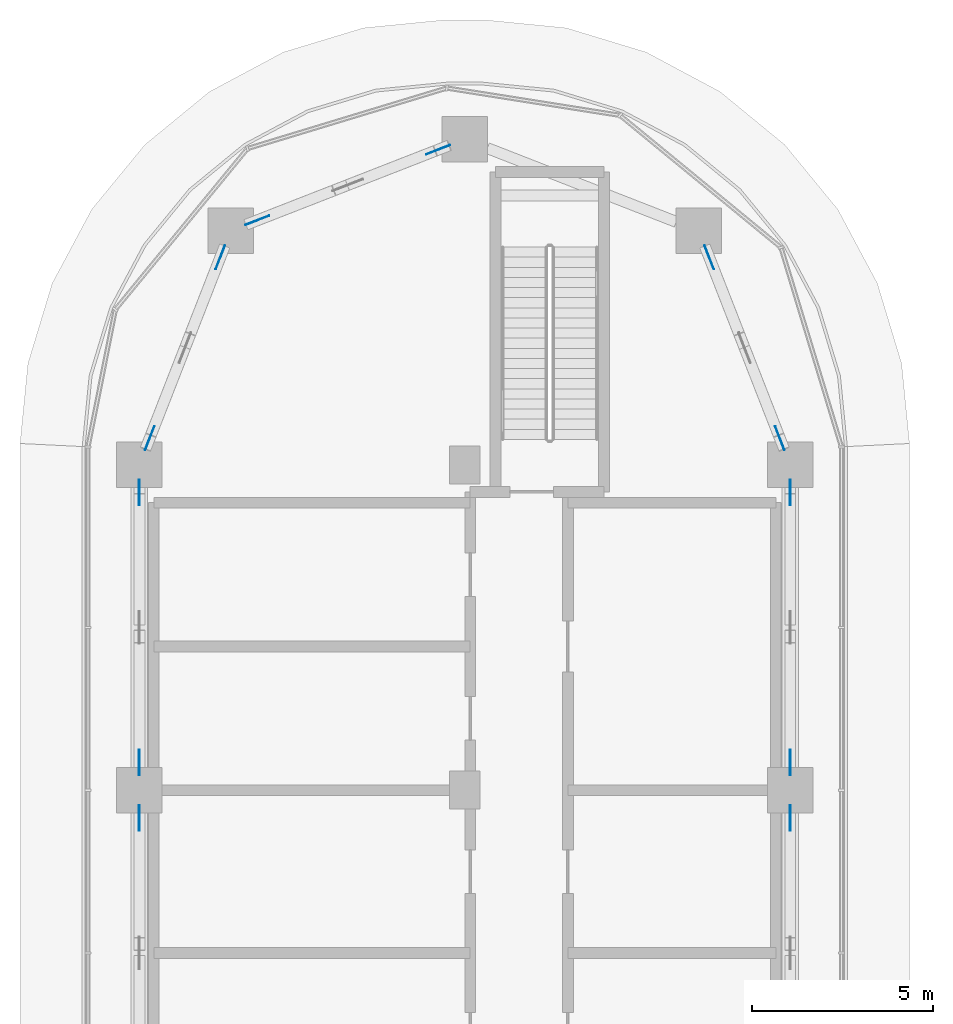
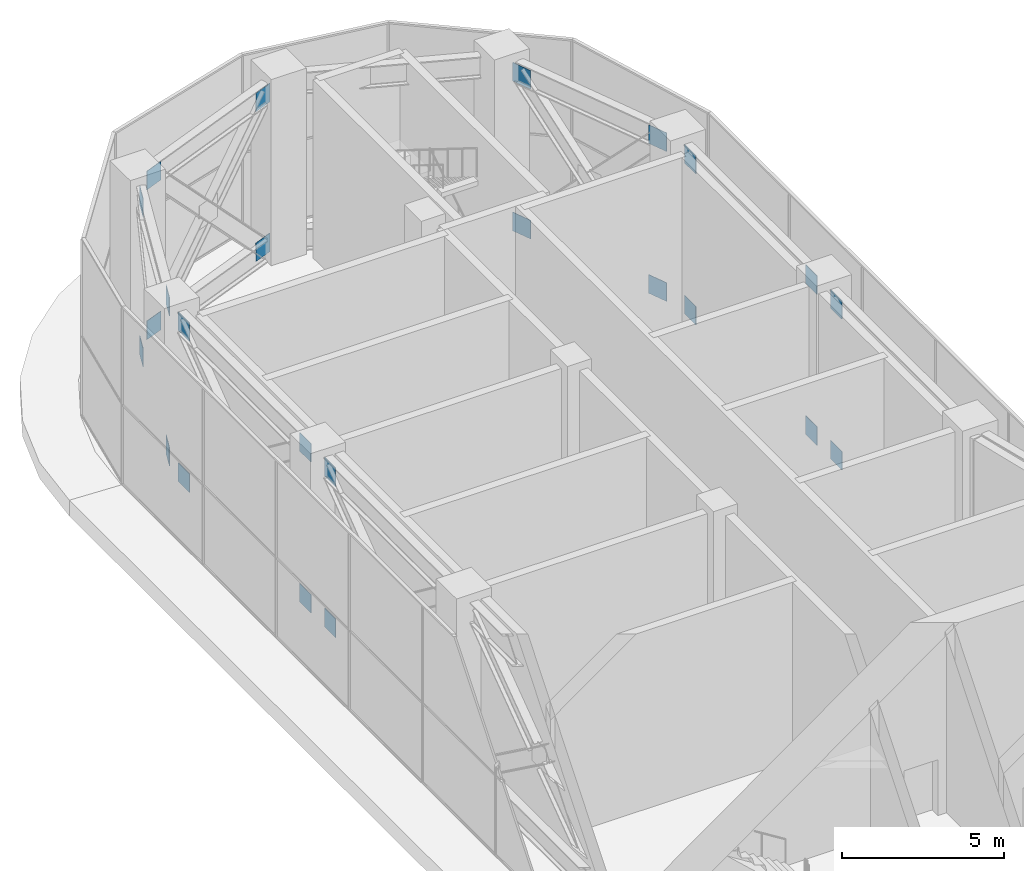
# One storey, part 25 of 35: 24 discrete accessories.
"""IFC4 building model written with IfcOpenShell, lengths in metres."""

from ifc_helpers import new_model, si_unit, direction, frame, origin, origin_2d, place, context, subcontext, project, spatial, rectangle, extrude, material, layer, layer_set, type_object, element, save


model = new_model("IFC4")

# Units and contexts
model_context = context("Model", 3, precision=1e-05, world=origin(), true_north=direction((0.0, 1.0)))
body_context = subcontext(model_context, "Body", "Model", "MODEL_VIEW")
ifc_project = project(units=[si_unit("LENGTHUNIT", "METRE"), si_unit("AREAUNIT", "SQUARE_METRE"), si_unit("VOLUMEUNIT", "CUBIC_METRE"), si_unit("PLANEANGLEUNIT", "RADIAN"), si_unit("MASSUNIT", "GRAM", prefix="KILO")], contexts=[model_context])

# Site, building, storey
site_placement = place(None, origin())
site = spatial("IfcSite", under=ifc_project, at=site_placement, CompositionType="ELEMENT")
building_placement = place(site_placement, origin())
building = spatial("IfcBuilding", under=site, at=building_placement, Name="Ogive Portal Towers", CompositionType="ELEMENT")
storey_placement = place(building_placement, frame((0.0, 0.0, 135.199951171875)))
storey = spatial("IfcBuildingStorey", under=building, at=storey_placement, Name="L33", CompositionType="ELEMENT", Elevation=135.199951171875)

# Discrete accessories
ifc_material = material(Name="Steel S355", Category="steel")
ifc_layer = layer(ifc_material, 0.02001953125)
ifc_layer_set = layer_set([ifc_layer], Name="GUSSET PLATE 700x700x20")
discrete_accessory_type = type_object("IfcDiscreteAccessoryType", Name="GUSSET PLATE 700x700x20", PredefinedType="BRACKET", material=ifc_layer_set)
for number, where, z_axis, x_axis, name in (
    (1, (49.5, 56.735595703125, 5.83740234375), (0.0, 0.0, 1.0), (0.0, 1.0, 0.0), "Gusset plate"),
    (2, (49.5, 56.735595703125, 0.1630859375), (0.0, 0.0, 1.0), (0.0, 1.0, 0.0), "Gusset plate"),
    (3, (49.5, 58.264404296875, 5.83740234375), (0.0, 0.0, 1.0), (0.0, 1.0, 0.0), "Gusset plate"),
    (4, (49.5, 65.735595703125, 0.1630859375), (0.0, 0.0, 1.0), (0.0, 1.0, 0.0), "Gusset plate"),
    (5, (49.5, 58.264404296875, 0.1630859375), (0.0, 0.0, 1.0), (0.0, 1.0, 0.0), "Gusset plate"),
    (6, (49.5, 65.735595703125, 5.83740234375), (0.0, 0.0, 1.0), (0.0, 1.0, 0.0), "Gusset plate"),
    (7, (49.212158203125, 67.2373046875, 0.18359375), (0.0, 0.0, 1.0), (-0.363657722869, 0.931532640651, 0.0), "Gusset plate"),
    (8, (47.260986328125, 72.235595703125, 5.81640625), (0.0, 0.0, 1.0), (-0.363657722869, 0.931532640651, 0.0), "Gusset plate"),
    (9, (49.212158203125, 67.2373046875, 5.81640625), (0.0, 0.0, 1.0), (-0.363673981126, 0.931526293484, 0.0), "Gusset plate"),
    (10, (47.260986328125, 72.235595703125, 0.18359375), (0.0, 0.0, 1.0), (-0.363673981126, 0.931526293484, 0.0), "Gusset plate"),
    (11, (39.7626953125, 75.212158203125, 0.18359375), (0.0, 0.0, 1.0), (-0.931532640651, -0.363657722869, 0.0), "Gusset plate"),
    (12, (34.764404296875, 73.260986328125, 5.81640625), (0.0, 0.0, 1.0), (-0.931532640651, -0.363657722869, 0.0), "Gusset plate"),
    (13, (39.7626953125, 75.212158203125, 5.81640625), (0.0, 0.0, 1.0), (-0.931526293484, -0.363673981126, 0.0), "Gusset plate"),
    (14, (34.764404296875, 73.260986328125, 0.18359375), (0.0, 0.0, 1.0), (-0.931526293484, -0.363673981126, 0.0), "Gusset plate"),
    (15, (33.739013671875, 72.235595703125, 5.81640625), (0.0, 0.0, 1.0), (-0.363657722869, -0.931532640651, 0.0), "Gusset plate"),
    (16, (31.787841796875, 67.2373046875, 0.18359375), (0.0, 0.0, 1.0), (-0.363657722869, -0.931532640651, 0.0), "Gusset plate"),
    (17, (33.739013671875, 72.235595703125, 0.18359375), (0.0, 0.0, 1.0), (-0.363673981126, -0.931526293484, 0.0), "Gusset plate"),
    (18, (31.787841796875, 67.2373046875, 5.81640625), (0.0, 0.0, 1.0), (-0.363673981126, -0.931526293484, 0.0), "Gusset plate"),
    (19, (31.5, 65.735595703125, 0.1630859375), (0.0, 0.0, 1.0), (0.0, -1.0, 0.0), "Gusset plate"),
    (20, (31.5, 58.264404296875, 5.83740234375), (0.0, 0.0, 1.0), (0.0, -1.0, 0.0), "Gusset plate"),
    (21, (31.5, 65.735595703125, 5.83740234375), (0.0, 0.0, 1.0), (0.0, -1.0, 0.0), "Gusset plate"),
    (22, (31.5, 58.264404296875, 0.1630859375), (0.0, 0.0, 1.0), (0.0, -1.0, 0.0), "Gusset plate"),
    (23, (31.5, 56.735595703125, 5.83740234375), (0.0, 0.0, 1.0), (0.0, -1.0, 0.0), "Gusset plate"),
    (24, (31.5, 56.735595703125, 0.1630859375), (0.0, 0.0, 1.0), (0.0, -1.0, 0.0), "Gusset plate"),
):
    element("IfcDiscreteAccessory", number, at=place(storey_placement, frame(where, z_axis=z_axis, x_axis=x_axis)), inside=storey, type_object=discrete_accessory_type, Name=name, PredefinedType="BRACKET", context=body_context, shape_type="SweptSolid", body=[
        extrude(rectangle(XDim=0.699951171875, YDim=0.02001953125, at=origin_2d()), origin(), (0.0, 0.0, 1.0), 0.699951171875),
    ])

save(model, "model.ifc")
